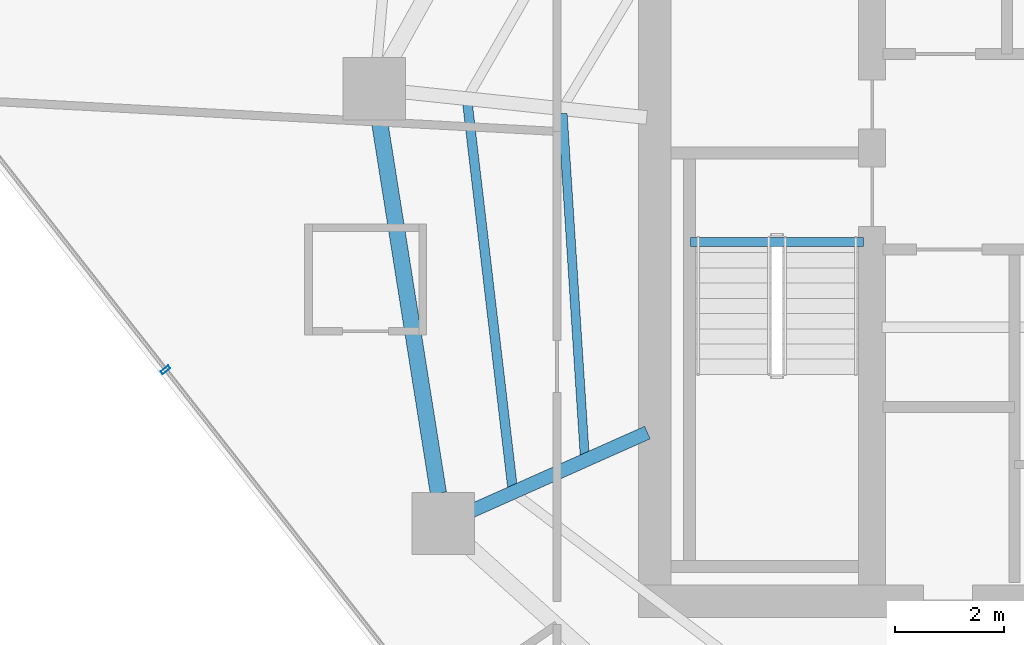
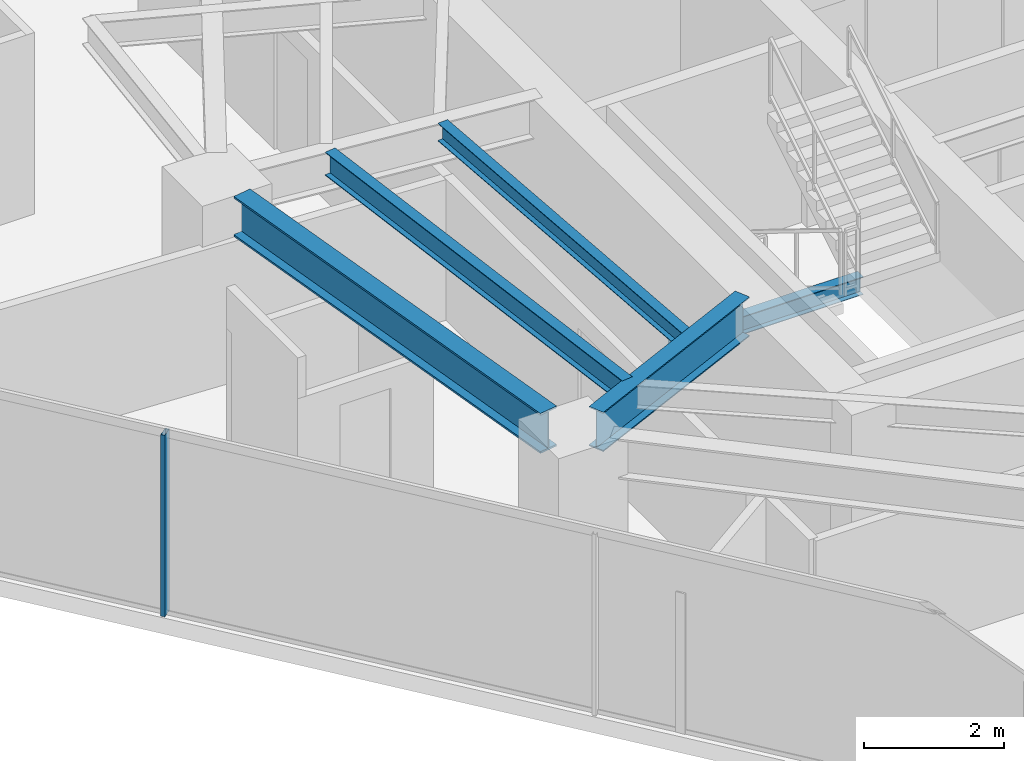
# One storey, part 7 of 29: 5 beams, 1 member, 1 element without a shape of its own.
"""IFC4 building model written with IfcOpenShell, lengths in metres."""

from ifc_helpers import new_model, si_unit, direction, frame, origin, origin_2d, place, context, subcontext, project, spatial, hollow_rectangle, i_section, extrude, material, layer, layer_set, material_profile, profile_set, type_object, element, aggregate, save


model = new_model("IFC4")

# Units and contexts
model_context = context("Model", 3, precision=1e-05, world=origin(), true_north=direction((0.0, 1.0)))
body_context = subcontext(model_context, "Body", "Model", "MODEL_VIEW")
ifc_project = project(units=[si_unit("LENGTHUNIT", "METRE"), si_unit("AREAUNIT", "SQUARE_METRE"), si_unit("VOLUMEUNIT", "CUBIC_METRE"), si_unit("PLANEANGLEUNIT", "RADIAN"), si_unit("MASSUNIT", "GRAM", prefix="KILO")], contexts=[model_context])

# Site, building, storey
site_placement = place(None, origin())
site = spatial("IfcSite", under=ifc_project, at=site_placement, CompositionType="ELEMENT")
building_placement = place(site_placement, origin())
building = spatial("IfcBuilding", under=site, at=building_placement, Name="Qarnah Convention Tower", CompositionType="ELEMENT")
storey_placement = place(building_placement, frame((0.0, 0.0, 97.050048828125)))
storey = spatial("IfcBuildingStorey", under=building, at=storey_placement, Name="L25", CompositionType="ELEMENT", Elevation=97.050048828125)

# Beams
ifc_material_1 = material(Name="Structural steel S355JR", Category="steel")
ifc_material_profile_1 = material_profile(ifc_material_1, i_section(OverallWidth=0.166015625, OverallDepth=0.31201171875, WebThickness=0.007080078125, FlangeThickness=0.010986328125, at=origin_2d()), Name="W310X45")
ifc_profile_set_1 = profile_set([ifc_material_profile_1], Name="Structural steel S355JR")
beam_type_1 = type_object("IfcBeamType", Name="BM-JST-W310", PredefinedType="JOIST", material=ifc_profile_set_1)
beam_1_placement = place(storey_placement, frame((27.4599609375, 25.217041015625, -0.156005859375), z_axis=(1.0, 0.0, 0.0), x_axis=(0.0, 1.0, 0.0)))
element("IfcBeam", 1, at=beam_1_placement, inside=storey, type_object=beam_type_1, Name="L25 stair landing trimmer beam BM-L25-ST1-TRM", PredefinedType="BEAM", context=body_context, shape_type="SweptSolid", body=[
    extrude(i_section(OverallWidth=0.166015625, OverallDepth=0.31201171875, WebThickness=0.007080078125, FlangeThickness=0.010986328125, at=origin_2d()), origin(), (0.0, 0.0, 1.0), 3.179931640625),
])
beam_2_placement = place(storey_placement, frame((25.10205078125, 27.58203125, 3.013916015625), z_axis=(0.064363628198, -0.997926512006, 0.0), x_axis=(0.997926512006, 0.064363628198, 0.0)))
element("IfcBeam", 2, at=beam_2_placement, inside=storey, type_object=beam_type_1, Name="L25 joist BM-L25-IJST-05", PredefinedType="JOIST", context=body_context, shape_type="SweptSolid", body=[
    extrude(i_section(OverallWidth=0.166015625, OverallDepth=0.31201171875, WebThickness=0.007080078125, FlangeThickness=0.010986328125, at=origin_2d()), origin(), (0.0, 0.0, 1.0), 6.30810546875),
])
ifc_material_profile_2 = material_profile(ifc_material_1, i_section(OverallWidth=0.177978515625, OverallDepth=0.407958984375, WebThickness=0.008056640625, FlangeThickness=0.012939453125, at=origin_2d()), Name="W410X60")
ifc_profile_set_2 = profile_set([ifc_material_profile_2], Name="Structural steel S355JR")
beam_type_2 = type_object("IfcBeamType", Name="BM-JST-W410", PredefinedType="JOIST", material=ifc_profile_set_2)
beam_3_placement = place(storey_placement, frame((23.35009765625, 27.76806640625, 2.966064453125), z_axis=(0.116421423163, -0.993199905472, 0.0), x_axis=(0.993199905472, 0.116421423163, 0.0)))
element("IfcBeam", 3, at=beam_3_placement, inside=storey, type_object=beam_type_2, Name="L25 joist BM-L25-SJST-05", PredefinedType="JOIST", context=body_context, shape_type="SweptSolid", body=[
    extrude(i_section(OverallWidth=0.177978515625, OverallDepth=0.407958984375, WebThickness=0.008056640625, FlangeThickness=0.012939453125, at=origin_2d()), origin(), (0.0, 0.0, 1.0), 7.119384765625),
])
ifc_material_profile_3 = material_profile(ifc_material_1, i_section(OverallWidth=0.25390625, OverallDepth=0.68798828125, WebThickness=0.012939453125, FlangeThickness=0.02099609375, at=origin_2d()), Name="W690X152")
ifc_profile_set_3 = profile_set([ifc_material_profile_3], Name="Structural steel S355JR")
beam_type_3 = type_object("IfcBeamType", Name="BM-RAD-W690", PredefinedType="BEAM", material=ifc_profile_set_3)
beam_4_placement = place(storey_placement, frame((26.6630859375, 21.708984375, 2.825927734375), z_axis=(-0.913588053958, -0.4066409567, 0.0), x_axis=(0.4066409567, -0.913588053958, 0.0)))
element("IfcBeam", 4, at=beam_4_placement, inside=storey, type_object=beam_type_3, Name="L25 beam BM-L25-RAD-06", PredefinedType="BEAM", context=body_context, shape_type="SweptSolid", body=[
    extrude(i_section(OverallWidth=0.25390625, OverallDepth=0.68798828125, WebThickness=0.012939453125, FlangeThickness=0.02099609375, at=origin_2d()), origin(), (0.0, 0.0, 1.0), 3.560791015625),
])
ifc_material_profile_4 = material_profile(ifc_material_1, i_section(OverallWidth=0.300048828125, OverallDepth=0.699951171875, WebThickness=0.01708984375, FlangeThickness=0.031982421875, at=origin_2d()), Name="HEB700")
ifc_profile_set_4 = profile_set([ifc_material_profile_4], Name="Structural steel S355JR")
beam_type_4 = type_object("IfcBeamType", Name="BM-RING-HEB700", PredefinedType="BEAM", material=ifc_profile_set_4)
beam_5_placement = place(storey_placement, frame((21.72412109375, 27.47802734375, 2.820068359375), z_axis=(0.156482310627, -0.987680761411, 0.0), x_axis=(0.987680761411, 0.156482310627, 0.0)))
element("IfcBeam", 5, at=beam_5_placement, inside=storey, type_object=beam_type_4, Name="L25 beam BM-L25-SPN-05", PredefinedType="BEAM", context=body_context, shape_type="SweptSolid", body=[
    extrude(i_section(OverallWidth=0.300048828125, OverallDepth=0.699951171875, WebThickness=0.01708984375, FlangeThickness=0.031982421875, at=origin_2d()), origin(), (0.0, 0.0, 1.0), 6.970947265625),
])

# Curtain wall, member
ifc_material_2 = material(Name="Tempered Low-E dark glass", Category="glass")
ifc_layer = layer(ifc_material_2, 0.169921875)
ifc_layer_set = layer_set([ifc_layer], Name="Tempered Low-E dark glass")
curtain_wall_type = type_object("IfcCurtainWallType", Name="CWS-02", PredefinedType="NOTDEFINED", material=ifc_layer_set)
curtain_wall_placement = place(storey_placement, origin())
curtain_wall = element("IfcCurtainWall", 6, at=curtain_wall_placement, inside=storey, type_object=curtain_wall_type, Name="L25 unitised curtain wall CW-L25-F3", PredefinedType="NOTDEFINED")
ifc_material_3 = material(Name="Black anodised aluminium", Category="aluminium")
ifc_material_profile_5 = material_profile(ifc_material_3, hollow_rectangle(XDim=0.06494140625, YDim=0.179931640625, WallThickness=0.00390625, at=origin_2d()), Name="MUL-65X180")
ifc_profile_set_5 = profile_set([ifc_material_profile_5], Name="Black anodised aluminium")
member_type = type_object("IfcMemberType", Name="MUL-T2", PredefinedType="MULLION", material=ifc_profile_set_5)
member_placement = place(storey_placement, frame((17.790283203125, 22.86474609375, 0.0), z_axis=(0.0, 0.0, 1.0), x_axis=(-0.617870701473, 0.786279718841, 0.0)))
member = element("IfcMember", 7, at=member_placement, type_object=member_type, Name="CW-L25-F3 mullion 5", PredefinedType="MULLION", context=body_context, shape_type="SweptSolid", body=[
    extrude(hollow_rectangle(XDim=0.06494140625, YDim=0.179931640625, WallThickness=0.00390625, at=origin_2d()), origin(), (0.0, 0.0, 1.0), 3.169921875),
])
aggregate(curtain_wall, [member])

save(model, "model.ifc")
